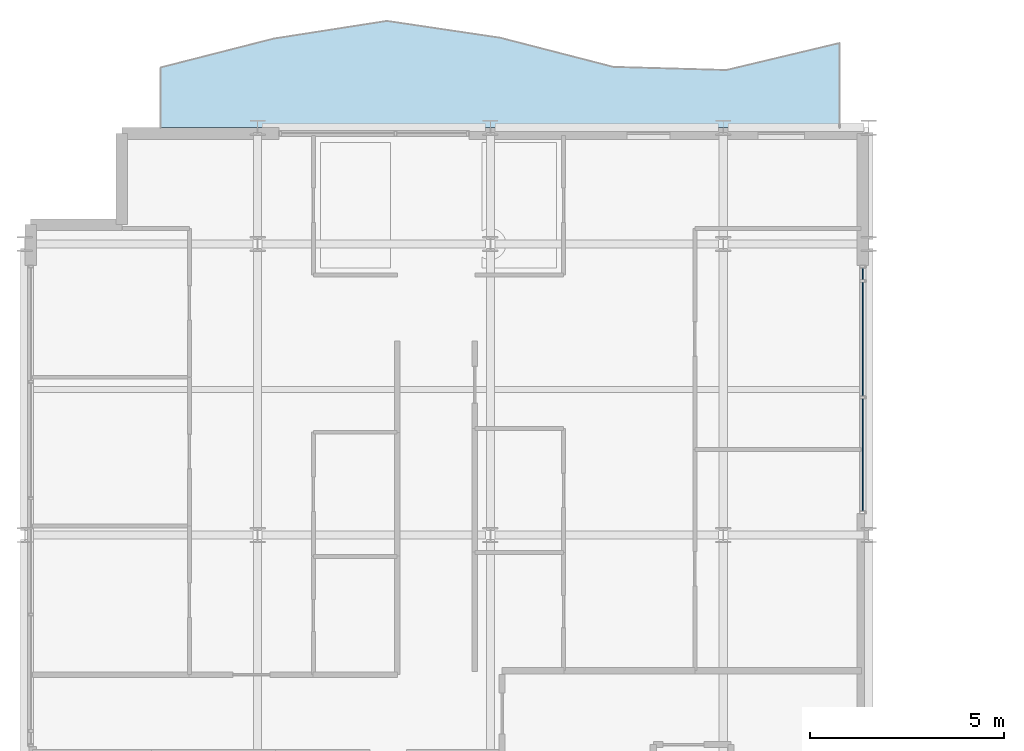
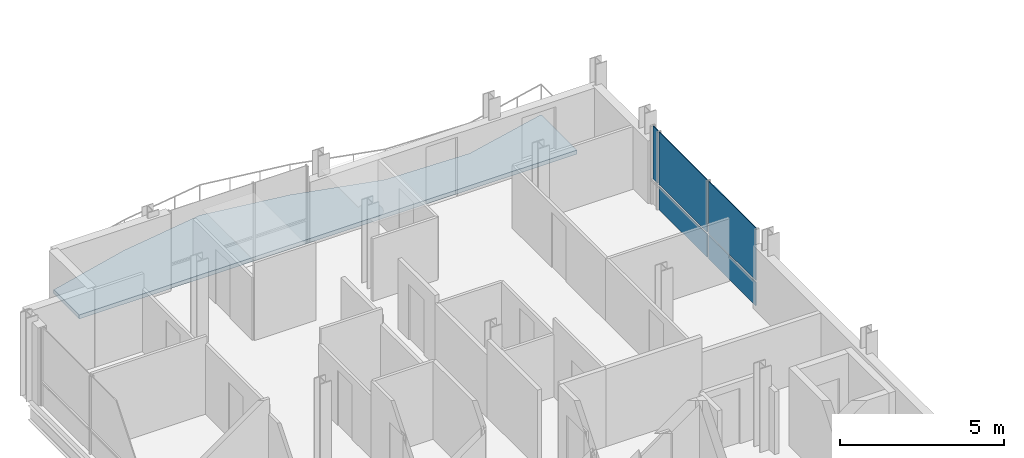
# One storey, part 17 of 27: 5 plates, 1 slab, 1 element without a shape of its own.
"""IFC4 building model written with IfcOpenShell, lengths in metres."""

from ifc_helpers import new_model, si_unit, direction, frame, origin, origin_2d, place, context, subcontext, project, spatial, polyline, rectangle, outline, extrude, material, layer, layer_set, type_object, element, aggregate, save


model = new_model("IFC4")

# Units and contexts
model_context = context("Model", 3, precision=1e-05, world=origin(), true_north=direction((0.0, 1.0)))
body_context = subcontext(model_context, "Body", "Model", "MODEL_VIEW")
ifc_project = project(units=[si_unit("LENGTHUNIT", "METRE"), si_unit("AREAUNIT", "SQUARE_METRE"), si_unit("VOLUMEUNIT", "CUBIC_METRE"), si_unit("PLANEANGLEUNIT", "RADIAN"), si_unit("MASSUNIT", "GRAM", prefix="KILO")], contexts=[model_context])

# Site, building, storey
site_placement = place(None, origin())
site = spatial("IfcSite", under=ifc_project, at=site_placement, CompositionType="ELEMENT")
building_placement = place(site_placement, origin())
building = spatial("IfcBuilding", under=site, at=building_placement, Name="Brevholm Reach", CompositionType="ELEMENT")
storey_placement = place(building_placement, frame((0.0, 0.0, 195.60009765625)))
storey = spatial("IfcBuildingStorey", under=building, at=storey_placement, Name="L59", CompositionType="ELEMENT", Elevation=195.60009765625)

# Curtain wall, plates
ifc_material_1 = material(Name="Dark Anodised Aluminium 6063-T6 and Solar-Control Glass", Category="aluminium")
ifc_layer_1 = layer(ifc_material_1, 0.1650390625)
ifc_layer_set_1 = layer_set([ifc_layer_1], Name="Dark Anodised Aluminium 6063-T6 and Solar-Control Glass")
curtain_wall_type = type_object("IfcCurtainWallType", Name="CW-04", PredefinedType="NOTDEFINED", material=ifc_layer_set_1)
curtain_wall_placement = place(storey_placement, origin())
curtain_wall = element("IfcCurtainWall", 1, at=curtain_wall_placement, inside=storey, type_object=curtain_wall_type, Name="L59 Curtain Wall CW-04", PredefinedType="NOTDEFINED")
ifc_material_2 = material(Name="Dark Solar-Control Double-Glazed IGU Glass", Category="glass")
ifc_layer_2 = layer(ifc_material_2, 0.028076171875)
ifc_layer_set_2 = layer_set([ifc_layer_2], Name="Dark Solar-Control Double-Glazed IGU Glass")
plate_type = type_object("IfcPlateType", Name="CWP-GLZ-28", PredefinedType="CURTAIN_PANEL", material=ifc_layer_set_2)
plate_1_placement = place(storey_placement, frame((21.60009765625, 18.0673828125, 0.0), z_axis=(0.0, 0.0, 1.0), x_axis=(0.0, 1.0, 0.0)))
plate_1 = element("IfcPlate", 2, at=plate_1_placement, type_object=plate_type, Name="CP-01 Glazing Panel 1.1", PredefinedType="CURTAIN_PANEL", context=body_context, shape_type="SweptSolid", body=[
    extrude(rectangle(XDim=2.89501953125, YDim=0.028076171875, at=origin_2d()), origin(), (0.0, 0.0, 1.0), 0.864990234375),
])
plate_2_placement = place(storey_placement, frame((21.60009765625, 18.0673828125, 0.934814453125), z_axis=(0.0, 0.0, 1.0), x_axis=(0.0, 1.0, 0.0)))
plate_2 = element("IfcPlate", 3, at=plate_2_placement, type_object=plate_type, Name="CP-01 Glazing Panel 1.2", PredefinedType="CURTAIN_PANEL", context=body_context, shape_type="SweptSolid", body=[
    extrude(rectangle(XDim=2.89501953125, YDim=0.028076171875, at=origin_2d()), origin(), (0.0, 0.0, 1.0), 1.955078125),
])
plate_3_placement = place(storey_placement, frame((21.60009765625, 21.050048828125, 0.0), z_axis=(0.0, 0.0, 1.0), x_axis=(0.0, 1.0, 0.0)))
plate_3 = element("IfcPlate", 4, at=plate_3_placement, type_object=plate_type, Name="CP-01 Glazing Panel 2.1", PredefinedType="CURTAIN_PANEL", context=body_context, shape_type="SweptSolid", body=[
    extrude(rectangle(XDim=2.929931640625, YDim=0.028076171875, at=origin_2d()), origin(), (0.0, 0.0, 1.0), 0.864990234375),
])
plate_4_placement = place(storey_placement, frame((21.60009765625, 21.050048828125, 0.934814453125), z_axis=(0.0, 0.0, 1.0), x_axis=(0.0, 1.0, 0.0)))
plate_4 = element("IfcPlate", 5, at=plate_4_placement, type_object=plate_type, Name="CP-01 Glazing Panel 2.2", PredefinedType="CURTAIN_PANEL", context=body_context, shape_type="SweptSolid", body=[
    extrude(rectangle(XDim=2.929931640625, YDim=0.028076171875, at=origin_2d()), origin(), (0.0, 0.0, 1.0), 1.955078125),
])
plate_5_placement = place(storey_placement, frame((21.60009765625, 22.732421875, 0.934814453125), z_axis=(0.0, 0.0, 1.0), x_axis=(0.0, 1.0, 0.0)))
plate_5 = element("IfcPlate", 6, at=plate_5_placement, type_object=plate_type, Name="CP-01 Glazing Panel 3.2", PredefinedType="CURTAIN_PANEL", context=body_context, shape_type="SweptSolid", body=[
    extrude(rectangle(XDim=0.294921875, YDim=0.028076171875, at=origin_2d()), origin(), (0.0, 0.0, 1.0), 1.955078125),
])
aggregate(curtain_wall, [plate_1, plate_2, plate_3, plate_4, plate_5])

# Slab
ifc_material_3 = material(Name="Precast Concrete C45/55", Category="concrete")
ifc_layer_3 = layer(ifc_material_3, 0.14990234375)
ifc_layer_set_3 = layer_set([ifc_layer_3], Name="Precast Concrete C45/55")
slab_type = type_object("IfcSlabType", Name="SLB-BAL-150", PredefinedType="FLOOR", material=ifc_layer_set_3)
slab_placement = place(storey_placement, frame((0.0, 0.0, -0.150146484375)))
element("IfcSlab", 7, at=slab_placement, inside=storey, type_object=slab_type, Name="L59 Rippling External Balcony NW", PredefinedType="FLOOR", context=body_context, shape_type="SweptSolid", body=[
    extrude(outline(polyline([(3.5, 26.5), (21.0, 26.5), (21.0, 28.6806640625), (18.083251953125, 27.984619140625), (15.166748046875, 28.065673828125), (12.25, 28.81689453125), (9.333251953125, 29.25), (6.416748046875, 28.794921875), (3.5, 28.05029296875), (3.5, 26.5)])), origin(), (0.0, 0.0, 1.0), 0.150146484375),
])

save(model, "model.ifc")
